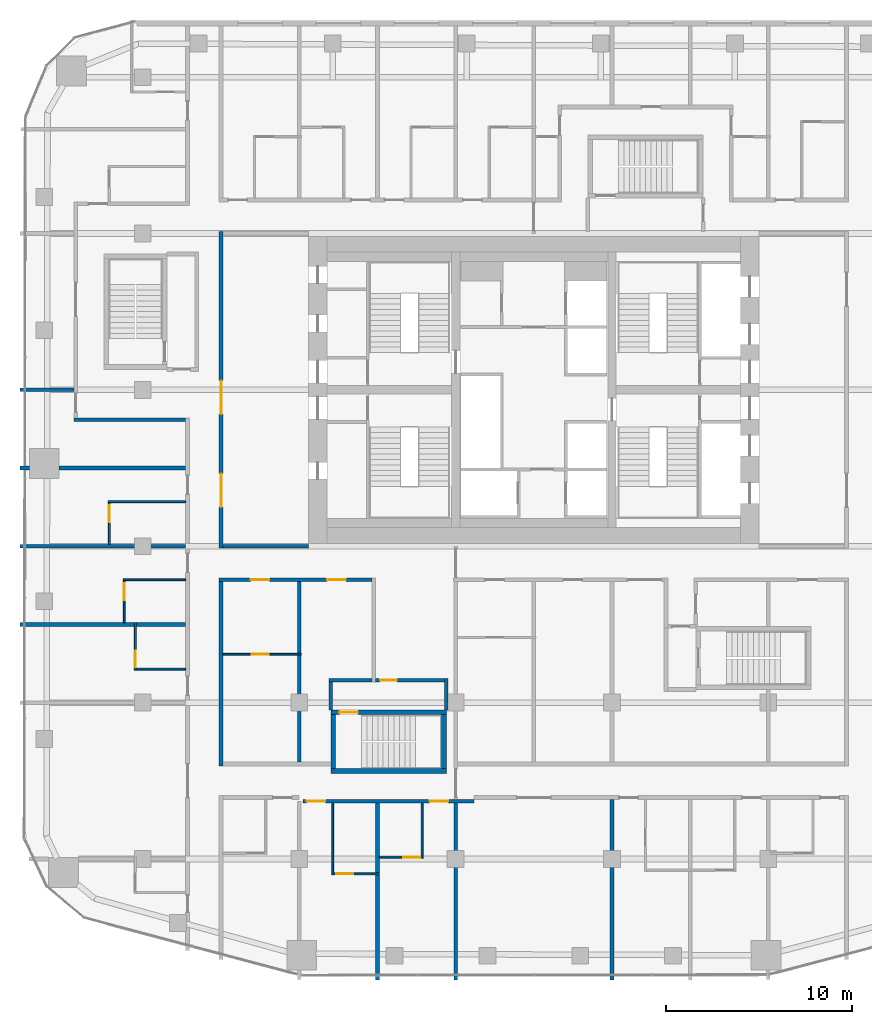
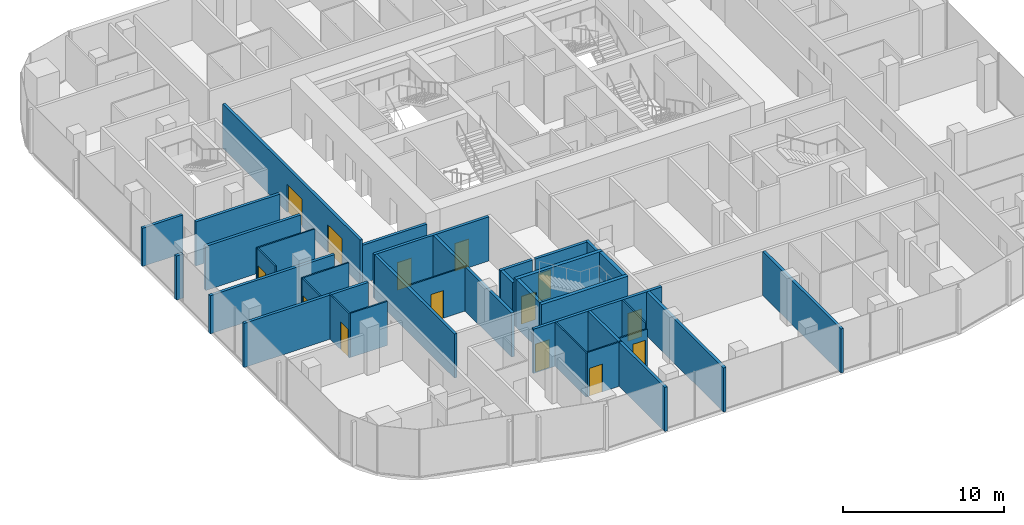
# One storey, part 14 of 23: 34 walls, 14 doors, 14 openings.
"""IFC4 building model written with IfcOpenShell, lengths in metres."""

from ifc_helpers import new_model, si_unit, direction, frame, frame_2d, origin, place, context, subcontext, project, spatial, rectangle, extrude, material, layer, layer_set, type_object, element, fill, save


model = new_model("IFC4")

# Units and contexts
model_context = context("Model", 3, precision=1e-05, world=origin(), true_north=direction((0.0, 1.0)))
body_context = subcontext(model_context, "Body", "Model", "MODEL_VIEW")
ifc_project = project(units=[si_unit("LENGTHUNIT", "METRE"), si_unit("AREAUNIT", "SQUARE_METRE"), si_unit("VOLUMEUNIT", "CUBIC_METRE"), si_unit("PLANEANGLEUNIT", "RADIAN"), si_unit("MASSUNIT", "GRAM", prefix="KILO")], contexts=[model_context])

# Site, building, storey
site_placement = place(None, origin())
site = spatial("IfcSite", under=ifc_project, at=site_placement, CompositionType="ELEMENT")
building_placement = place(site_placement, origin())
building = spatial("IfcBuilding", under=site, at=building_placement, Name="Marenta Gate Hotel Tower", CompositionType="ELEMENT")
storey_placement = place(building_placement, frame((0.0, 0.0, 119.300048828125)))
storey = spatial("IfcBuildingStorey", under=building, at=storey_placement, Name="L26", CompositionType="ELEMENT", Elevation=119.300048828125)

# Wall
ifc_material_1 = material(Name="Concrete blockwork", Category="masonry")
ifc_layer_1 = layer(ifc_material_1, 0.199951171875)
ifc_layer_set_1 = layer_set([ifc_layer_1], Name="Concrete blockwork")
wall_type_1 = type_object("IfcWallType", Name="Compartment wall 200 REI 180", PredefinedType="PARTITIONING", material=ifc_layer_set_1)
wall_1_placement = place(storey_placement, frame((-4.199951171875, -23.300048828125, 0.0), z_axis=(0.0, 0.0, 1.0), x_axis=(0.0, 1.0, 0.0)))
element("IfcWall", 1, at=wall_1_placement, inside=storey, type_object=wall_type_1, Name="L26-PTN-W070", PredefinedType="PARTITIONING", context=body_context, shape_type="SweptSolid", body=[
    extrude(rectangle(XDim=9.5, YDim=0.199951171875, at=frame_2d((4.75, 0.0))), origin(), (0.0, 0.0, 1.0), 3.33984375),
])

# Wall, openings, doors
ifc_material_2 = material(Name="Concrete blockwork", Category="masonry")
ifc_layer_2 = layer(ifc_material_2, 0.199951171875)
ifc_layer_set_2 = layer_set([ifc_layer_2], Name="Concrete blockwork")
wall_type_2 = type_object("IfcWallType", Name="Core boundary wall 200 REI 180", PredefinedType="PARTITIONING", material=ifc_layer_set_2)
wall_2_placement = place(storey_placement, frame((-16.800048828125, -0.10009765625, 0.0), z_axis=(0.0, 0.0, 1.0), x_axis=(0.0, 1.0, 0.0)))
wall_2 = element("IfcWall", 2, at=wall_2_placement, inside=storey, type_object=wall_type_2, Name="L26-CP-BW-W", PredefinedType="PARTITIONING", context=body_context, shape_type="SweptSolid", body=[
    extrude(rectangle(XDim=17.0, YDim=0.199951171875, at=frame_2d((8.5, 0.0))), origin(), (0.0, 0.0, 1.0), 3.33984375),
])
opening_1_placement = place(wall_2_placement, frame((2.199951171875, 0.0, 0.0)))
opening_1 = element("IfcOpeningElement", 3, at=opening_1_placement, cuts=wall_2, Name="Opening ED-Wa-B", PredefinedType="OPENING", context=body_context, shape_type="SweptSolid", body=[
    extrude(rectangle(XDim=1.800048828125, YDim=2.10009765625, at=frame_2d((0.89990234375, 1.050048828125))), frame((0.0, 0.10009765625, 0.0), z_axis=(0.0, -1.0, 0.0), x_axis=(1.0, 0.0, 0.0)), (0.0, 0.0, 1.0), 0.199951171875),
])
opening_2_placement = place(wall_2_placement, frame((7.199951171875, 0.0, 0.0)))
opening_2 = element("IfcOpeningElement", 4, at=opening_2_placement, cuts=wall_2, Name="Opening ED-Wb-B", PredefinedType="OPENING", context=body_context, shape_type="SweptSolid", body=[
    extrude(rectangle(XDim=1.800048828125, YDim=2.10009765625, at=frame_2d((0.89990234375, 1.050048828125))), frame((0.0, 0.10009765625, 0.0), z_axis=(0.0, -1.0, 0.0), x_axis=(1.0, 0.0, 0.0)), (0.0, 0.0, 1.0), 0.199951171875),
])
ifc_material_3 = material(Name="Steel", Category="steel")
door_type_1 = type_object("IfcDoorType", Name="Core lobby entrance door 1800x2100 EI 60", OperationType="DOUBLE_DOOR_SINGLE_SWING", PredefinedType="DOOR", material=ifc_material_3)
door_1_placement = place(opening_1_placement, origin())
door_1 = element("IfcDoor", 5, at=door_1_placement, inside=storey, type_object=door_type_1, Name="ED-Wa-B", OperationType="DOUBLE_DOOR_SINGLE_SWING", OverallHeight=2.10009765625, OverallWidth=1.800048828125, PredefinedType="DOOR", context=body_context, shape_type="SweptSolid", body=[
    extrude(rectangle(XDim=1.800048828125, YDim=2.10009765625, at=frame_2d((0.89990234375, 1.050048828125))), frame((0.0, 0.02490234375, 0.0), z_axis=(0.0, -1.0, 0.0), x_axis=(1.0, 0.0, 0.0)), (0.0, 0.0, 1.0), 0.050048828125),
])
fill(opening_1, door_1)
door_2_placement = place(opening_2_placement, origin())
door_2 = element("IfcDoor", 6, at=door_2_placement, inside=storey, type_object=door_type_1, Name="ED-Wb-B", OperationType="DOUBLE_DOOR_SINGLE_SWING", OverallHeight=2.10009765625, OverallWidth=1.800048828125, PredefinedType="DOOR", context=body_context, shape_type="SweptSolid", body=[
    extrude(rectangle(XDim=1.800048828125, YDim=2.10009765625, at=frame_2d((0.89990234375, 1.050048828125))), frame((0.0, 0.02490234375, 0.0), z_axis=(0.0, -1.0, 0.0), x_axis=(1.0, 0.0, 0.0)), (0.0, 0.0, 1.0), 0.050048828125),
])
fill(opening_2, door_2)

# Walls
wall_3_placement = place(storey_placement, frame((-16.699951171875, 0.0, 0.0), z_axis=(0.0, 0.0, 1.0), x_axis=(1.0, 0.0, 0.0)))
element("IfcWall", 7, at=wall_3_placement, inside=storey, type_object=wall_type_2, Name="L26-CP-EW-WS", PredefinedType="PARTITIONING", context=body_context, shape_type="SweptSolid", body=[
    extrude(rectangle(XDim=4.599853515625, YDim=0.199951171875, at=frame_2d((2.2998046875, 0.0))), origin(), (0.0, 0.0, 1.0), 2.889892578125),
])
ifc_material_4 = material(Name="Concrete C40", Category="concrete")
ifc_layer_3 = layer(ifc_material_4, 0.25)
ifc_layer_set_3 = layer_set([ifc_layer_3], Name="Concrete C40")
wall_type_3 = type_object("IfcWallType", Name="Remote stair enclosure wall 250 REI 180", PredefinedType="SHEAR", material=ifc_layer_set_3)
wall_4_placement = place(storey_placement, frame((-10.89990234375, -12.074951171875, 0.099853515625), z_axis=(0.0, 0.0, 1.0), x_axis=(1.0, 0.0, 0.0)))
element("IfcWall", 8, at=wall_4_placement, inside=storey, type_object=wall_type_3, Name="L26-RS-Z2-1-W1", PredefinedType="SHEAR", context=body_context, shape_type="SweptSolid", body=[
    extrude(rectangle(XDim=6.199951171875, YDim=0.25, at=frame_2d((3.10009765625, 0.0))), origin(), (0.0, 0.0, 1.0), 3.60009765625),
])

# Wall, opening, door
wall_5_placement = place(storey_placement, frame((-10.89990234375, -8.925048828125, 0.099853515625), z_axis=(0.0, 0.0, 1.0), x_axis=(1.0, 0.0, 0.0)))
wall_5 = element("IfcWall", 9, at=wall_5_placement, inside=storey, type_object=wall_type_3, Name="L26-RS-Z2-1-W2", PredefinedType="SHEAR", context=body_context, shape_type="SweptSolid", body=[
    extrude(rectangle(XDim=6.199951171875, YDim=0.25, at=frame_2d((3.10009765625, 0.0))), origin(), (0.0, 0.0, 1.0), 3.60009765625),
])
opening_3_placement = place(wall_5_placement, frame((0.449951171875, 0.0, 0.0)))
opening_3 = element("IfcOpeningElement", 10, at=opening_3_placement, cuts=wall_5, Name="Opening VD", PredefinedType="OPENING", context=body_context, shape_type="SweptSolid", body=[
    extrude(rectangle(XDim=1.0, YDim=2.10009765625, at=frame_2d((0.5, 1.050048828125))), frame((0.0, 0.125, 0.0), z_axis=(0.0, -1.0, 0.0), x_axis=(1.0, 0.0, 0.0)), (0.0, 0.0, 1.0), 0.25),
])
ifc_material_5 = material(Name="Steel", Category="steel")
door_type_2 = type_object("IfcDoorType", Name="Stair vestibule door 1000x2100 FD60", OperationType="SINGLE_SWING_LEFT", PredefinedType="DOOR", material=ifc_material_5)
door_3_placement = place(opening_3_placement, origin())
door_3 = element("IfcDoor", 11, at=door_3_placement, inside=storey, type_object=door_type_2, Name="VD", OperationType="SINGLE_SWING_LEFT", OverallHeight=2.10009765625, OverallWidth=1.0, PredefinedType="DOOR", context=body_context, shape_type="SweptSolid", body=[
    extrude(rectangle(XDim=1.0, YDim=2.10009765625, at=frame_2d((0.5, 1.050048828125))), frame((0.0, 0.02490234375, 0.0), z_axis=(0.0, -1.0, 0.0), x_axis=(1.0, 0.0, 0.0)), (0.0, 0.0, 1.0), 0.050048828125),
])
fill(opening_3, door_3)

# Walls
for number, where, z_axis, x_axis, name in (
    (12, (-10.77490234375, -11.949951171875, 0.099853515625), (0.0, 0.0, 1.0), (0.0, 1.0, 0.0), "L26-RS-Z2-1-W3"),
    (13, (-4.824951171875, -11.949951171875, 0.099853515625), (0.0, 0.0, 1.0), (0.0, 1.0, 0.0), "L26-RS-Z2-1-W4"),
):
    element("IfcWall", number, at=place(storey_placement, frame(where, z_axis=z_axis, x_axis=x_axis)), inside=storey, type_object=wall_type_3, Name=name, PredefinedType="SHEAR", context=body_context, shape_type="SweptSolid", body=[
        extrude(rectangle(XDim=2.89990234375, YDim=0.25, at=frame_2d((1.449951171875, 0.0))), origin(), (0.0, 0.0, 1.0), 3.60009765625),
    ])

# Wall, openings, doors
ifc_material_6 = material(Name="Gypsum board on steel stud", Category="steel")
ifc_layer_4 = layer(ifc_material_6, 0.199951171875)
ifc_layer_set_4 = layer_set([ifc_layer_4], Name="Gypsum board on steel stud")
wall_type_4 = type_object("IfcWallType", Name="Room corridor wall 200 EI 60", PredefinedType="PARTITIONING", material=ifc_layer_set_4)
wall_6_placement = place(storey_placement, frame((-12.39990234375, -13.699951171875, 0.0), z_axis=(0.0, 0.0, 1.0), x_axis=(1.0, 0.0, 0.0)))
wall_6 = element("IfcWall", 14, at=wall_6_placement, inside=storey, type_object=wall_type_4, Name="L26-PTN-W025", PredefinedType="PARTITIONING", context=body_context, shape_type="SweptSolid", body=[
    extrude(rectangle(XDim=9.199951171875, YDim=0.199951171875, at=frame_2d((4.60009765625, 0.0))), origin(), (0.0, 0.0, 1.0), 3.33984375),
])
opening_4_placement = place(wall_6_placement, frame((0.199951171875, 0.0, 0.0)))
opening_4 = element("IfcOpeningElement", 15, at=opening_4_placement, cuts=wall_6, Name="Opening G09-43", PredefinedType="OPENING", context=body_context, shape_type="SweptSolid", body=[
    extrude(rectangle(XDim=1.0, YDim=2.10009765625, at=frame_2d((0.5, 1.050048828125))), frame((0.0, 0.10009765625, 0.0), z_axis=(0.0, -1.0, 0.0), x_axis=(1.0, 0.0, 0.0)), (0.0, 0.0, 1.0), 0.199951171875),
])
opening_5_placement = place(wall_6_placement, frame((6.800048828125, 0.0, 0.0)))
opening_5 = element("IfcOpeningElement", 16, at=opening_5_placement, cuts=wall_6, Name="Opening G09-45", PredefinedType="OPENING", context=body_context, shape_type="SweptSolid", body=[
    extrude(rectangle(XDim=1.0, YDim=2.10009765625, at=frame_2d((0.5, 1.050048828125))), frame((0.0, 0.10009765625, 0.0), z_axis=(0.0, -1.0, 0.0), x_axis=(1.0, 0.0, 0.0)), (0.0, 0.0, 1.0), 0.199951171875),
])
ifc_material_7 = material(Name="Timber door leaf", Category="wood")
door_type_3 = type_object("IfcDoorType", Name="Guest room door 1000x2100 EI 30", OperationType="NOTDEFINED", PredefinedType="DOOR", material=ifc_material_7)
door_4_placement = place(opening_4_placement, origin())
door_4 = element("IfcDoor", 17, at=door_4_placement, inside=storey, type_object=door_type_3, Name="L26-PD-D043", OperationType="SINGLE_SWING_RIGHT", OverallHeight=2.10009765625, OverallWidth=1.0, PredefinedType="DOOR", context=body_context, shape_type="SweptSolid", body=[
    extrude(rectangle(XDim=1.0, YDim=2.10009765625, at=frame_2d((0.5, 1.050048828125))), frame((0.0, 0.02490234375, 0.0), z_axis=(0.0, -1.0, 0.0), x_axis=(1.0, 0.0, 0.0)), (0.0, 0.0, 1.0), 0.050048828125),
])
fill(opening_4, door_4)
door_5_placement = place(opening_5_placement, origin())
door_5 = element("IfcDoor", 18, at=door_5_placement, inside=storey, type_object=door_type_3, Name="L26-PD-D045", OperationType="SINGLE_SWING_LEFT", OverallHeight=2.10009765625, OverallWidth=1.0, PredefinedType="DOOR", context=body_context, shape_type="SweptSolid", body=[
    extrude(rectangle(XDim=1.0, YDim=2.10009765625, at=frame_2d((0.5, 1.050048828125))), frame((0.0, 0.02490234375, 0.0), z_axis=(0.0, -1.0, 0.0), x_axis=(1.0, 0.0, 0.0)), (0.0, 0.0, 1.0), 0.050048828125),
])
fill(opening_5, door_5)

wall_7_placement = place(storey_placement, frame((-16.89990234375, -1.800048828125, 0.0), z_axis=(0.0, 0.0, 1.0), x_axis=(1.0, 0.0, 0.0)))
wall_7 = element("IfcWall", 19, at=wall_7_placement, inside=storey, type_object=wall_type_4, Name="L26-PTN-W059", PredefinedType="PARTITIONING", context=body_context, shape_type="SweptSolid", body=[
    extrude(rectangle(XDim=8.199951171875, YDim=0.199951171875, at=frame_2d((4.10009765625, 0.0))), origin(), (0.0, 0.0, 1.0), 3.33984375),
])
opening_6_placement = place(wall_7_placement, frame((1.699951171875, 0.0, 0.0)))
opening_6 = element("IfcOpeningElement", 20, at=opening_6_placement, cuts=wall_7, Name="Opening G09-01", PredefinedType="OPENING", context=body_context, shape_type="SweptSolid", body=[
    extrude(rectangle(XDim=1.0, YDim=2.10009765625, at=frame_2d((0.5, 1.050048828125))), frame((0.0, 0.10009765625, 0.0), z_axis=(0.0, -1.0, 0.0), x_axis=(1.0, 0.0, 0.0)), (0.0, 0.0, 1.0), 0.199951171875),
])
opening_7_placement = place(wall_7_placement, frame((5.800048828125, 0.0, 0.0)))
opening_7 = element("IfcOpeningElement", 21, at=opening_7_placement, cuts=wall_7, Name="Opening G09-03", PredefinedType="OPENING", context=body_context, shape_type="SweptSolid", body=[
    extrude(rectangle(XDim=1.0, YDim=2.10009765625, at=frame_2d((0.5, 1.050048828125))), frame((0.0, 0.10009765625, 0.0), z_axis=(0.0, -1.0, 0.0), x_axis=(1.0, 0.0, 0.0)), (0.0, 0.0, 1.0), 0.199951171875),
])
ifc_material_8 = material(Name="Timber door leaf", Category="wood")
door_type_4 = type_object("IfcDoorType", Name="Room amenity door 1000x2100 EI 30", OperationType="NOTDEFINED", PredefinedType="DOOR", material=ifc_material_8)
door_6_placement = place(opening_7_placement, origin())
door_6 = element("IfcDoor", 22, at=door_6_placement, inside=storey, type_object=door_type_4, Name="L26-PD-D003", OperationType="SINGLE_SWING_LEFT", OverallHeight=2.10009765625, OverallWidth=1.0, PredefinedType="DOOR", context=body_context, shape_type="SweptSolid", body=[
    extrude(rectangle(XDim=1.0, YDim=2.10009765625, at=frame_2d((0.5, 1.050048828125))), frame((0.0, 0.02490234375, 0.0), z_axis=(0.0, -1.0, 0.0), x_axis=(1.0, 0.0, 0.0)), (0.0, 0.0, 1.0), 0.050048828125),
])
fill(opening_7, door_6)
ifc_material_9 = material(Name="Hollow steel door set", Category="steel")
door_type_5 = type_object("IfcDoorType", Name="Room service door 1000x2100 EI 30", OperationType="NOTDEFINED", PredefinedType="DOOR", material=ifc_material_9)
door_7_placement = place(opening_6_placement, origin())
door_7 = element("IfcDoor", 23, at=door_7_placement, inside=storey, type_object=door_type_5, Name="L26-PD-D001", OperationType="SINGLE_SWING_LEFT", OverallHeight=2.10009765625, OverallWidth=1.0, PredefinedType="DOOR", context=body_context, shape_type="SweptSolid", body=[
    extrude(rectangle(XDim=1.0, YDim=2.10009765625, at=frame_2d((0.5, 1.050048828125))), frame((0.0, 0.02490234375, 0.0), z_axis=(0.0, -1.0, 0.0), x_axis=(1.0, 0.0, 0.0)), (0.0, 0.0, 1.0), 0.050048828125),
])
fill(opening_6, door_7)

# Walls
wall_8_placement = place(storey_placement, frame((-24.699951171875, 6.800048828125, 0.0), z_axis=(0.0, 0.0, 1.0), x_axis=(1.0, 0.0, 0.0)))
element("IfcWall", 24, at=wall_8_placement, inside=storey, type_object=wall_type_4, Name="L26-PTN-W079", PredefinedType="PARTITIONING", context=body_context, shape_type="SweptSolid", body=[
    extrude(rectangle(XDim=6.0, YDim=0.199951171875, at=frame_2d((3.0, 0.0))), origin(), (0.0, 0.0, 1.0), 3.33984375),
])
wall_9_placement = place(storey_placement, frame((-16.800048828125, -11.800048828125, 0.0), z_axis=(0.0, 0.0, 1.0), x_axis=(0.0, 1.0, 0.0)))
element("IfcWall", 25, at=wall_9_placement, inside=storey, type_object=wall_type_4, Name="L26-PTN-W098", PredefinedType="PARTITIONING", context=body_context, shape_type="SweptSolid", body=[
    extrude(rectangle(XDim=9.900146484375, YDim=0.199951171875, at=frame_2d((4.9501953125, 0.0))), origin(), (0.0, 0.0, 1.0), 3.33984375),
])

# Wall, opening, door
ifc_material_10 = material(Name="Concrete blockwork", Category="masonry")
ifc_layer_5 = layer(ifc_material_10, 0.199951171875)
ifc_layer_set_5 = layer_set([ifc_layer_5], Name="Concrete blockwork")
wall_type_5 = type_object("IfcWallType", Name="Room corridor wall 200 REI 180", PredefinedType="PARTITIONING", material=ifc_layer_set_5)
wall_10_placement = place(storey_placement, frame((-8.5, -7.199951171875, 0.0), z_axis=(0.0, 0.0, 1.0), x_axis=(1.0, 0.0, 0.0)))
wall_10 = element("IfcWall", 26, at=wall_10_placement, inside=storey, type_object=wall_type_5, Name="L26-PTN-W045", PredefinedType="PARTITIONING", context=body_context, shape_type="SweptSolid", body=[
    extrude(rectangle(XDim=3.699951171875, YDim=0.199951171875, at=frame_2d((1.85009765625, 0.0))), origin(), (0.0, 0.0, 1.0), 3.33984375),
])
opening_8_placement = place(wall_10_placement, frame((0.25, 0.0, 0.0)))
opening_8 = element("IfcOpeningElement", 27, at=opening_8_placement, cuts=wall_10, Name="Opening G09-69", PredefinedType="OPENING", context=body_context, shape_type="SweptSolid", body=[
    extrude(rectangle(XDim=0.89990234375, YDim=2.10009765625, at=frame_2d((0.449951171875, 1.050048828125))), frame((0.0, 0.10009765625, 0.0), z_axis=(0.0, -1.0, 0.0), x_axis=(1.0, 0.0, 0.0)), (0.0, 0.0, 1.0), 0.199951171875),
])
ifc_material_11 = material(Name="Hollow steel door set", Category="steel")
door_type_6 = type_object("IfcDoorType", Name="Stair vestibule door 900x2100 EI 60", OperationType="NOTDEFINED", PredefinedType="DOOR", material=ifc_material_11)
door_8_placement = place(opening_8_placement, origin())
door_8 = element("IfcDoor", 28, at=door_8_placement, inside=storey, type_object=door_type_6, Name="L26-PD-D069", OperationType="SINGLE_SWING_RIGHT", OverallHeight=2.10009765625, OverallWidth=0.89990234375, PredefinedType="DOOR", context=body_context, shape_type="SweptSolid", body=[
    extrude(rectangle(XDim=0.89990234375, YDim=2.10009765625, at=frame_2d((0.449951171875, 1.050048828125))), frame((0.0, 0.02490234375, 0.0), z_axis=(0.0, -1.0, 0.0), x_axis=(1.0, 0.0, 0.0)), (0.0, 0.0, 1.0), 0.050048828125),
])
fill(opening_8, door_8)

# Wall
wall_11_placement = place(storey_placement, frame((-4.699951171875, -8.800048828125, 0.0), z_axis=(0.0, 0.0, 1.0), x_axis=(0.0, 1.0, 0.0)))
element("IfcWall", 29, at=wall_11_placement, inside=storey, type_object=wall_type_5, Name="L26-PTN-W075", PredefinedType="PARTITIONING", context=body_context, shape_type="SweptSolid", body=[
    extrude(rectangle(XDim=1.699951171875, YDim=0.199951171875, at=frame_2d((0.85009765625, 0.0))), origin(), (0.0, 0.0, 1.0), 3.33984375),
])

# Wall, opening, door
ifc_material_12 = material(Name="Gypsum board on steel stud", Category="steel")
ifc_layer_6 = layer(ifc_material_12, 0.10009765625)
ifc_layer_set_6 = layer_set([ifc_layer_6], Name="Gypsum board on steel stud")
wall_type_6 = type_object("IfcWallType", Name="Room partition 100", PredefinedType="PARTITIONING", material=ifc_layer_set_6)
wall_12_placement = place(storey_placement, frame((-10.75, -17.60009765625, 0.0), z_axis=(0.0, 0.0, 1.0), x_axis=(1.0, 0.0, 0.0)))
wall_12 = element("IfcWall", 30, at=wall_12_placement, inside=storey, type_object=wall_type_6, Name="L26-PTN-W012", PredefinedType="PARTITIONING", context=body_context, shape_type="SweptSolid", body=[
    extrude(rectangle(XDim=2.449951171875, YDim=0.10009765625, at=frame_2d((1.22509765625, 0.0))), origin(), (0.0, 0.0, 1.0), 3.33984375),
])
opening_9_placement = place(wall_12_placement, frame((0.14990234375, 0.0, 0.0)))
opening_9 = element("IfcOpeningElement", 31, at=opening_9_placement, cuts=wall_12, Name="Opening G09-44", PredefinedType="OPENING", context=body_context, shape_type="SweptSolid", body=[
    extrude(rectangle(XDim=0.89990234375, YDim=2.10009765625, at=frame_2d((0.449951171875, 1.050048828125))), frame((0.0, 0.050048828125, 0.0), z_axis=(0.0, -1.0, 0.0), x_axis=(1.0, 0.0, 0.0)), (0.0, 0.0, 1.0), 0.10009765625),
])
ifc_material_13 = material(Name="Timber door leaf", Category="wood")
door_type_7 = type_object("IfcDoorType", Name="Guest bathroom door 900x2100", OperationType="NOTDEFINED", PredefinedType="DOOR", material=ifc_material_13)
door_9_placement = place(opening_9_placement, origin())
door_9 = element("IfcDoor", 32, at=door_9_placement, inside=storey, type_object=door_type_7, Name="L26-PD-D044", OperationType="SINGLE_SWING_LEFT", OverallHeight=2.10009765625, OverallWidth=0.89990234375, PredefinedType="DOOR", context=body_context, shape_type="SweptSolid", body=[
    extrude(rectangle(XDim=0.89990234375, YDim=2.10009765625, at=frame_2d((0.449951171875, 1.050048828125))), frame((0.0, 0.02490234375, 0.0), z_axis=(0.0, -1.0, 0.0), x_axis=(1.0, 0.0, 0.0)), (0.0, 0.0, 1.0), 0.050048828125),
])
fill(opening_9, door_9)

wall_13_placement = place(storey_placement, frame((-8.300048828125, -16.699951171875, 0.0), z_axis=(0.0, 0.0, 1.0), x_axis=(1.0, 0.0, 0.0)))
wall_13 = element("IfcWall", 33, at=wall_13_placement, inside=storey, type_object=wall_type_6, Name="L26-PTN-W019", PredefinedType="PARTITIONING", context=body_context, shape_type="SweptSolid", body=[
    extrude(rectangle(XDim=2.35009765625, YDim=0.10009765625, at=frame_2d((1.175048828125, 0.0))), origin(), (0.0, 0.0, 1.0), 2.889892578125),
])
opening_10_placement = place(wall_13_placement, frame((1.300048828125, 0.0, 0.0)))
opening_10 = element("IfcOpeningElement", 34, at=opening_10_placement, cuts=wall_13, Name="Opening G09-46", PredefinedType="OPENING", context=body_context, shape_type="SweptSolid", body=[
    extrude(rectangle(XDim=0.89990234375, YDim=2.10009765625, at=frame_2d((0.449951171875, 1.050048828125))), frame((0.0, 0.050048828125, 0.0), z_axis=(0.0, -1.0, 0.0), x_axis=(1.0, 0.0, 0.0)), (0.0, 0.0, 1.0), 0.10009765625),
])
door_10_placement = place(opening_10_placement, origin())
door_10 = element("IfcDoor", 35, at=door_10_placement, inside=storey, type_object=door_type_7, Name="L26-PD-D046", OperationType="SINGLE_SWING_RIGHT", OverallHeight=2.10009765625, OverallWidth=0.89990234375, PredefinedType="DOOR", context=body_context, shape_type="SweptSolid", body=[
    extrude(rectangle(XDim=0.89990234375, YDim=2.10009765625, at=frame_2d((0.449951171875, 1.050048828125))), frame((0.0, 0.02490234375, 0.0), z_axis=(0.0, -1.0, 0.0), x_axis=(1.0, 0.0, 0.0)), (0.0, 0.0, 1.0), 0.050048828125),
])
fill(opening_10, door_10)

# Wall
wall_14_placement = place(storey_placement, frame((-21.35009765625, -6.60009765625, 0.0), z_axis=(0.0, 0.0, 1.0), x_axis=(1.0, 0.0, 0.0)))
element("IfcWall", 36, at=wall_14_placement, inside=storey, type_object=wall_type_6, Name="L26-PTN-W048", PredefinedType="PARTITIONING", context=body_context, shape_type="SweptSolid", body=[
    extrude(rectangle(XDim=2.650146484375, YDim=0.10009765625, at=frame_2d((1.3251953125, 0.0))), origin(), (0.0, 0.0, 1.0), 3.33984375),
])

# Wall, opening, door
wall_15_placement = place(storey_placement, frame((-16.699951171875, -5.800048828125, 0.0), z_axis=(0.0, 0.0, 1.0), x_axis=(1.0, 0.0, 0.0)))
wall_15 = element("IfcWall", 37, at=wall_15_placement, inside=storey, type_object=wall_type_6, Name="L26-PTN-W050", PredefinedType="PARTITIONING", context=body_context, shape_type="SweptSolid", body=[
    extrude(rectangle(XDim=4.199951171875, YDim=0.10009765625, at=frame_2d((2.10009765625, 0.0))), origin(), (0.0, 0.0, 1.0), 3.33984375),
])
opening_11_placement = place(wall_15_placement, frame((1.550048828125, 0.0, 0.0)))
opening_11 = element("IfcOpeningElement", 38, at=opening_11_placement, cuts=wall_15, Name="Opening G09-02", PredefinedType="OPENING", context=body_context, shape_type="SweptSolid", body=[
    extrude(rectangle(XDim=0.89990234375, YDim=2.10009765625, at=frame_2d((0.449951171875, 1.050048828125))), frame((0.0, 0.050048828125, 0.0), z_axis=(0.0, -1.0, 0.0), x_axis=(1.0, 0.0, 0.0)), (0.0, 0.0, 1.0), 0.10009765625),
])
ifc_material_14 = material(Name="Timber door leaf", Category="wood")
door_type_8 = type_object("IfcDoorType", Name="Room inner door 900x2100", OperationType="NOTDEFINED", PredefinedType="DOOR", material=ifc_material_14)
door_11_placement = place(opening_11_placement, origin())
door_11 = element("IfcDoor", 39, at=door_11_placement, inside=storey, type_object=door_type_8, Name="L26-PD-D002", OperationType="SINGLE_SWING_RIGHT", OverallHeight=2.10009765625, OverallWidth=0.89990234375, PredefinedType="DOOR", context=body_context, shape_type="SweptSolid", body=[
    extrude(rectangle(XDim=0.89990234375, YDim=2.10009765625, at=frame_2d((0.449951171875, 1.050048828125))), frame((0.0, 0.02490234375, 0.0), z_axis=(0.0, -1.0, 0.0), x_axis=(1.0, 0.0, 0.0)), (0.0, 0.0, 1.0), 0.050048828125),
])
fill(opening_11, door_11)

# Walls
wall_16_placement = place(storey_placement, frame((-22.050048828125, -1.800048828125, 0.0), z_axis=(0.0, 0.0, 1.0), x_axis=(1.0, 0.0, 0.0)))
element("IfcWall", 40, at=wall_16_placement, inside=storey, type_object=wall_type_6, Name="L26-PTN-W058", PredefinedType="PARTITIONING", context=body_context, shape_type="SweptSolid", body=[
    extrude(rectangle(XDim=3.35009765625, YDim=0.10009765625, at=frame_2d((1.675048828125, 0.0))), origin(), (0.0, 0.0, 1.0), 3.33984375),
])
wall_17_placement = place(storey_placement, frame((-22.85009765625, 2.39990234375, 0.0), z_axis=(0.0, 0.0, 1.0), x_axis=(1.0, 0.0, 0.0)))
element("IfcWall", 41, at=wall_17_placement, inside=storey, type_object=wall_type_6, Name="L26-PTN-W068", PredefinedType="PARTITIONING", context=body_context, shape_type="SweptSolid", body=[
    extrude(rectangle(XDim=4.150146484375, YDim=0.10009765625, at=frame_2d((2.0751953125, 0.0))), origin(), (0.0, 0.0, 1.0), 3.33984375),
])
wall_18_placement = place(storey_placement, frame((-6.0, -16.64990234375, 0.0), z_axis=(0.0, 0.0, 1.0), x_axis=(0.0, 1.0, 0.0)))
element("IfcWall", 42, at=wall_18_placement, inside=storey, type_object=wall_type_6, Name="L26-PTN-W076", PredefinedType="PARTITIONING", context=body_context, shape_type="SweptSolid", body=[
    extrude(rectangle(XDim=2.849853515625, YDim=0.10009765625, at=frame_2d((1.4248046875, 0.0))), origin(), (0.0, 0.0, 1.0), 3.33984375),
])
wall_19_placement = place(storey_placement, frame((-10.800048828125, -17.64990234375, 0.0), z_axis=(0.0, 0.0, 1.0), x_axis=(0.0, 1.0, 0.0)))
element("IfcWall", 43, at=wall_19_placement, inside=storey, type_object=wall_type_6, Name="L26-PTN-W087", PredefinedType="PARTITIONING", context=body_context, shape_type="SweptSolid", body=[
    extrude(rectangle(XDim=3.849853515625, YDim=0.10009765625, at=frame_2d((1.9248046875, 0.0))), origin(), (0.0, 0.0, 1.0), 3.33984375),
])

# Wall, opening, door
wall_20_placement = place(storey_placement, frame((-21.39990234375, -6.64990234375, 0.0), z_axis=(0.0, 0.0, 1.0), x_axis=(0.0, 1.0, 0.0)))
wall_20 = element("IfcWall", 44, at=wall_20_placement, inside=storey, type_object=wall_type_6, Name="L26-PTN-W111", PredefinedType="PARTITIONING", context=body_context, shape_type="SweptSolid", body=[
    extrude(rectangle(XDim=2.5498046875, YDim=0.10009765625, at=frame_2d((1.27490234375, 0.0))), origin(), (0.0, 0.0, 1.0), 3.33984375),
])
opening_12_placement = place(wall_20_placement, frame((0.14990234375, 0.0, 0.0)))
opening_12 = element("IfcOpeningElement", 45, at=opening_12_placement, cuts=wall_20, Name="Opening G09-58", PredefinedType="OPENING", context=body_context, shape_type="SweptSolid", body=[
    extrude(rectangle(XDim=0.89990234375, YDim=2.10009765625, at=frame_2d((0.449951171875, 1.050048828125))), frame((0.0, 0.050048828125, 0.0), z_axis=(0.0, -1.0, 0.0), x_axis=(1.0, 0.0, 0.0)), (0.0, 0.0, 1.0), 0.10009765625),
])
door_12_placement = place(opening_12_placement, origin())
door_12 = element("IfcDoor", 46, at=door_12_placement, inside=storey, type_object=door_type_7, Name="L26-PD-D058", OperationType="SINGLE_SWING_RIGHT", OverallHeight=2.10009765625, OverallWidth=0.89990234375, PredefinedType="DOOR", context=body_context, shape_type="SweptSolid", body=[
    extrude(rectangle(XDim=0.89990234375, YDim=2.10009765625, at=frame_2d((0.449951171875, 1.050048828125))), frame((0.0, 0.02490234375, 0.0), z_axis=(0.0, -1.0, 0.0), x_axis=(1.0, 0.0, 0.0)), (0.0, 0.0, 1.0), 0.050048828125),
])
fill(opening_12, door_12)

wall_21_placement = place(storey_placement, frame((-22.0, -4.10009765625, 0.0), z_axis=(0.0, 0.0, 1.0), x_axis=(0.0, 1.0, 0.0)))
wall_21 = element("IfcWall", 47, at=wall_21_placement, inside=storey, type_object=wall_type_6, Name="L26-PTN-W113", PredefinedType="PARTITIONING", context=body_context, shape_type="SweptSolid", body=[
    extrude(rectangle(XDim=2.25, YDim=0.10009765625, at=frame_2d((1.125, 0.0))), origin(), (0.0, 0.0, 1.0), 3.33984375),
])
opening_13_placement = place(wall_21_placement, frame((1.199951171875, 0.0, 0.0)))
opening_13 = element("IfcOpeningElement", 48, at=opening_13_placement, cuts=wall_21, Name="Opening G09-60", PredefinedType="OPENING", context=body_context, shape_type="SweptSolid", body=[
    extrude(rectangle(XDim=0.89990234375, YDim=2.10009765625, at=frame_2d((0.449951171875, 1.050048828125))), frame((0.0, 0.050048828125, 0.0), z_axis=(0.0, -1.0, 0.0), x_axis=(1.0, 0.0, 0.0)), (0.0, 0.0, 1.0), 0.10009765625),
])
door_13_placement = place(opening_13_placement, origin())
door_13 = element("IfcDoor", 49, at=door_13_placement, inside=storey, type_object=door_type_7, Name="L26-PD-D060", OperationType="SINGLE_SWING_LEFT", OverallHeight=2.10009765625, OverallWidth=0.89990234375, PredefinedType="DOOR", context=body_context, shape_type="SweptSolid", body=[
    extrude(rectangle(XDim=0.89990234375, YDim=2.10009765625, at=frame_2d((0.449951171875, 1.050048828125))), frame((0.0, 0.02490234375, 0.0), z_axis=(0.0, -1.0, 0.0), x_axis=(1.0, 0.0, 0.0)), (0.0, 0.0, 1.0), 0.050048828125),
])
fill(opening_13, door_13)

wall_22_placement = place(storey_placement, frame((-22.800048828125, 0.10009765625, 0.0), z_axis=(0.0, 0.0, 1.0), x_axis=(0.0, 1.0, 0.0)))
wall_22 = element("IfcWall", 50, at=wall_22_placement, inside=storey, type_object=wall_type_6, Name="L26-PTN-W122", PredefinedType="PARTITIONING", context=body_context, shape_type="SweptSolid", body=[
    extrude(rectangle(XDim=2.25, YDim=0.10009765625, at=frame_2d((1.125, 0.0))), origin(), (0.0, 0.0, 1.0), 3.33984375),
])
opening_14_placement = place(wall_22_placement, frame((1.199951171875, 0.0, 0.0)))
opening_14 = element("IfcOpeningElement", 51, at=opening_14_placement, cuts=wall_22, Name="Opening G09-62", PredefinedType="OPENING", context=body_context, shape_type="SweptSolid", body=[
    extrude(rectangle(XDim=0.89990234375, YDim=2.10009765625, at=frame_2d((0.449951171875, 1.050048828125))), frame((0.0, 0.050048828125, 0.0), z_axis=(0.0, -1.0, 0.0), x_axis=(1.0, 0.0, 0.0)), (0.0, 0.0, 1.0), 0.10009765625),
])
door_14_placement = place(opening_14_placement, origin())
door_14 = element("IfcDoor", 52, at=door_14_placement, inside=storey, type_object=door_type_7, Name="L26-PD-D062", OperationType="SINGLE_SWING_LEFT", OverallHeight=2.10009765625, OverallWidth=0.89990234375, PredefinedType="DOOR", context=body_context, shape_type="SweptSolid", body=[
    extrude(rectangle(XDim=0.89990234375, YDim=2.10009765625, at=frame_2d((0.449951171875, 1.050048828125))), frame((0.0, 0.02490234375, 0.0), z_axis=(0.0, -1.0, 0.0), x_axis=(1.0, 0.0, 0.0)), (0.0, 0.0, 1.0), 0.050048828125),
])
fill(opening_14, door_14)

# Walls
ifc_material_15 = material(Name="Gypsum board on steel stud", Category="steel")
ifc_layer_7 = layer(ifc_material_15, 0.199951171875)
ifc_layer_set_7 = layer_set([ifc_layer_7], Name="Gypsum board on steel stud")
wall_type_7 = type_object("IfcWallType", Name="Room party wall 200 EI 60", PredefinedType="PARTITIONING", material=ifc_layer_set_7)
wall_23_placement = place(storey_placement, frame((4.199951171875, -23.300048828125, 0.0), z_axis=(0.0, 0.0, 1.0), x_axis=(0.0, 1.0, 0.0)))
element("IfcWall", 53, at=wall_23_placement, inside=storey, type_object=wall_type_7, Name="L26-PTN-W053", PredefinedType="PARTITIONING", context=body_context, shape_type="SweptSolid", body=[
    extrude(rectangle(XDim=9.699951171875, YDim=0.199951171875, at=frame_2d((4.85009765625, 0.0))), origin(), (0.0, 0.0, 1.0), 3.33984375),
])
wall_24_placement = place(storey_placement, frame((-27.60009765625, -4.199951171875, 0.0), z_axis=(0.0, 0.0, 1.0), x_axis=(1.0, 0.0, 0.0)))
element("IfcWall", 54, at=wall_24_placement, inside=storey, type_object=wall_type_7, Name="L26-PTN-W056", PredefinedType="PARTITIONING", context=body_context, shape_type="SweptSolid", body=[
    extrude(rectangle(XDim=8.900146484375, YDim=0.199951171875, at=frame_2d((4.4501953125, 0.0))), origin(), (0.0, 0.0, 1.0), 3.33984375),
])
wall_25_placement = place(storey_placement, frame((-27.60009765625, 0.0, 0.0), z_axis=(0.0, 0.0, 1.0), x_axis=(1.0, 0.0, 0.0)))
element("IfcWall", 55, at=wall_25_placement, inside=storey, type_object=wall_type_7, Name="L26-PTN-W065", PredefinedType="PARTITIONING", context=body_context, shape_type="SweptSolid", body=[
    extrude(rectangle(XDim=8.900146484375, YDim=0.199951171875, at=frame_2d((4.4501953125, 0.0))), origin(), (0.0, 0.0, 1.0), 2.889892578125),
])
wall_26_placement = place(storey_placement, frame((-27.60009765625, 4.199951171875, 0.0), z_axis=(0.0, 0.0, 1.0), x_axis=(1.0, 0.0, 0.0)))
element("IfcWall", 56, at=wall_26_placement, inside=storey, type_object=wall_type_7, Name="L26-PTN-W073", PredefinedType="PARTITIONING", context=body_context, shape_type="SweptSolid", body=[
    extrude(rectangle(XDim=0.5, YDim=0.199951171875, at=frame_2d((0.25, 0.0))), origin(), (0.0, 0.0, 1.0), 3.33984375),
])
wall_27_placement = place(storey_placement, frame((-25.5, 4.199951171875, 0.0), z_axis=(0.0, 0.0, 1.0), x_axis=(1.0, 0.0, 0.0)))
element("IfcWall", 57, at=wall_27_placement, inside=storey, type_object=wall_type_7, Name="L26-PTN-W133", PredefinedType="PARTITIONING", context=body_context, shape_type="SweptSolid", body=[
    extrude(rectangle(XDim=6.800048828125, YDim=0.199951171875, at=frame_2d((3.39990234375, 0.0))), origin(), (0.0, 0.0, 1.0), 3.33984375),
])
wall_28_placement = place(storey_placement, frame((-8.39990234375, -23.300048828125, 0.0), z_axis=(0.0, 0.0, 1.0), x_axis=(0.0, 1.0, 0.0)))
element("IfcWall", 58, at=wall_28_placement, inside=storey, type_object=wall_type_7, Name="L26-PTN-W080", PredefinedType="PARTITIONING", context=body_context, shape_type="SweptSolid", body=[
    extrude(rectangle(XDim=9.5, YDim=0.199951171875, at=frame_2d((4.75, 0.0))), origin(), (0.0, 0.0, 1.0), 3.33984375),
])
wall_29_placement = place(storey_placement, frame((-27.60009765625, 8.39990234375, 0.0), z_axis=(0.0, 0.0, 1.0), x_axis=(1.0, 0.0, 0.0)))
element("IfcWall", 59, at=wall_29_placement, inside=storey, type_object=wall_type_7, Name="L26-PTN-W082", PredefinedType="PARTITIONING", context=body_context, shape_type="SweptSolid", body=[
    extrude(rectangle(XDim=2.900146484375, YDim=0.199951171875, at=frame_2d((1.4501953125, 0.0))), origin(), (0.0, 0.0, 1.0), 2.889892578125),
])
wall_30_placement = place(storey_placement, frame((-12.60009765625, -11.60009765625, 0.0), z_axis=(0.0, 0.0, 1.0), x_axis=(0.0, 1.0, 0.0)))
element("IfcWall", 60, at=wall_30_placement, inside=storey, type_object=wall_type_7, Name="L26-PTN-W091", PredefinedType="PARTITIONING", context=body_context, shape_type="SweptSolid", body=[
    extrude(rectangle(XDim=9.7001953125, YDim=0.199951171875, at=frame_2d((4.85009765625, 0.0))), origin(), (0.0, 0.0, 1.0), 3.33984375),
])
ifc_material_16 = material(Name="Concrete blockwork", Category="masonry")
ifc_layer_8 = layer(ifc_material_16, 0.199951171875)
ifc_layer_set_8 = layer_set([ifc_layer_8], Name="Concrete blockwork")
wall_type_8 = type_object("IfcWallType", Name="Room party wall 200 REI 180", PredefinedType="PARTITIONING", material=ifc_layer_set_8)
wall_31_placement = place(storey_placement, frame((-11.0, -7.199951171875, 0.0), z_axis=(0.0, 0.0, 1.0), x_axis=(1.0, 0.0, 0.0)))
element("IfcWall", 61, at=wall_31_placement, inside=storey, type_object=wall_type_8, Name="L26-PTN-W044", PredefinedType="PARTITIONING", context=body_context, shape_type="SweptSolid", body=[
    extrude(rectangle(XDim=2.300048828125, YDim=0.199951171875, at=frame_2d((1.14990234375, 0.0))), origin(), (0.0, 0.0, 1.0), 3.33984375),
])
wall_32_placement = place(storey_placement, frame((-10.89990234375, -8.800048828125, 0.0), z_axis=(0.0, 0.0, 1.0), x_axis=(0.0, 1.0, 0.0)))
element("IfcWall", 62, at=wall_32_placement, inside=storey, type_object=wall_type_8, Name="L26-PTN-W089", PredefinedType="PARTITIONING", context=body_context, shape_type="SweptSolid", body=[
    extrude(rectangle(XDim=1.5, YDim=0.199951171875, at=frame_2d((0.75, 0.0))), origin(), (0.0, 0.0, 1.0), 3.33984375),
])

save(model, "model.ifc")
